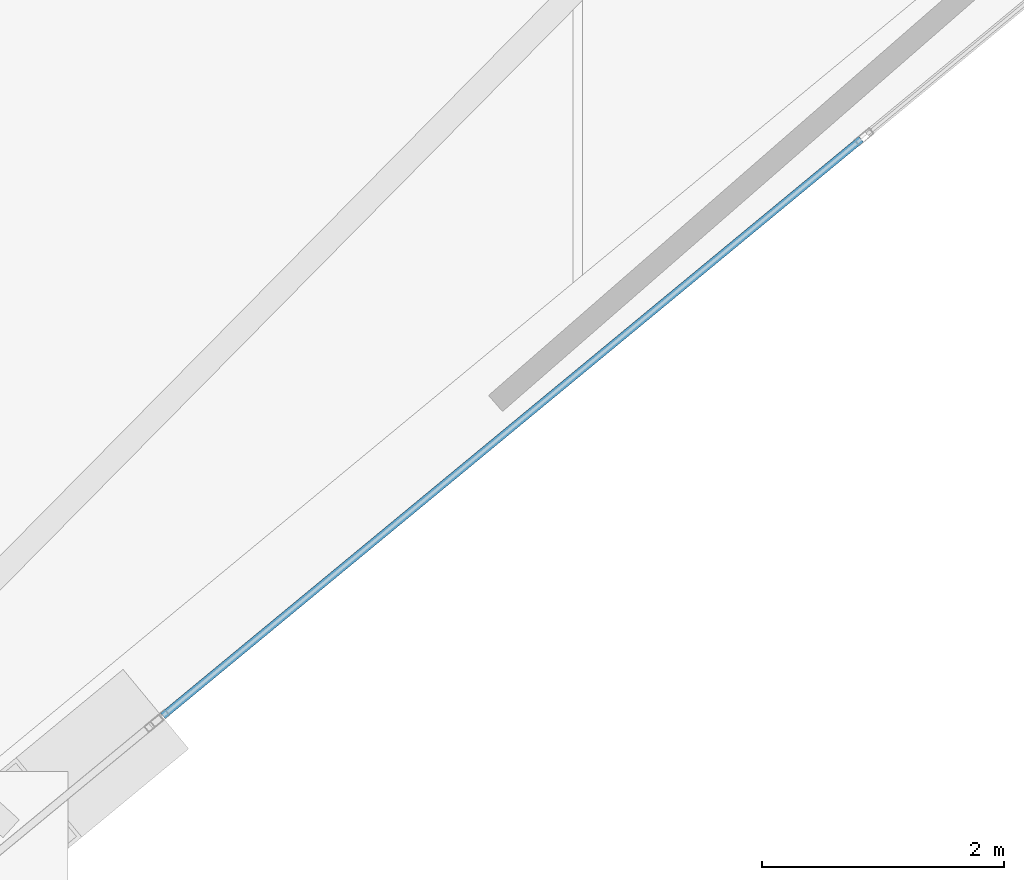
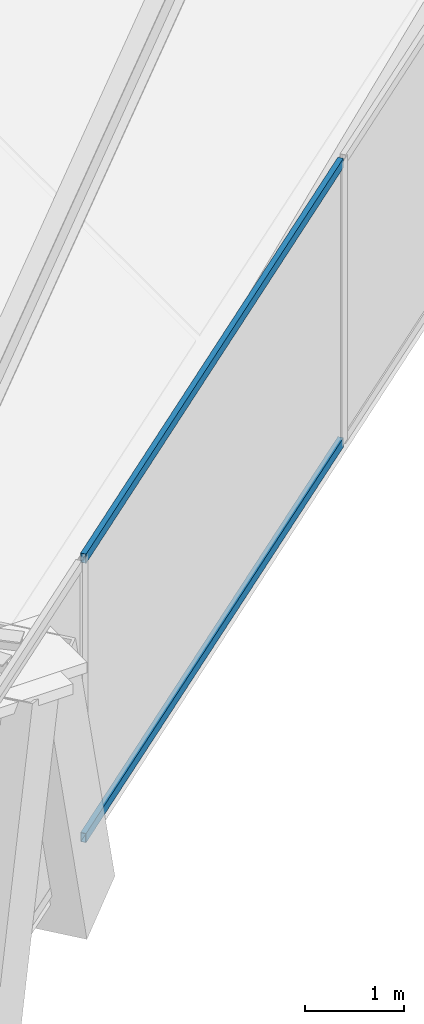
# One storey, part 6 of 21: 2 members, 1 element without a shape of its own.
"""IFC4 building model written with IfcOpenShell, lengths in metres."""

from ifc_helpers import new_model, si_unit, direction, frame, origin, origin_2d, place, context, subcontext, project, spatial, hollow_rectangle, extrude, material, layer, layer_set, material_profile, profile_set, type_object, element, aggregate, save


model = new_model("IFC4")

# Units and contexts
model_context = context("Model", 3, precision=1e-05, world=origin(), true_north=direction((0.0, 1.0)))
body_context = subcontext(model_context, "Body", "Model", "MODEL_VIEW")
ifc_project = project(units=[si_unit("LENGTHUNIT", "METRE"), si_unit("AREAUNIT", "SQUARE_METRE"), si_unit("VOLUMEUNIT", "CUBIC_METRE"), si_unit("PLANEANGLEUNIT", "RADIAN"), si_unit("MASSUNIT", "GRAM", prefix="KILO")], contexts=[model_context])

# Site, building, storey
site_placement = place(None, origin())
site = spatial("IfcSite", under=ifc_project, at=site_placement, CompositionType="ELEMENT")
building_placement = place(site_placement, origin())
building = spatial("IfcBuilding", under=site, at=building_placement, Name="Qianvela Tower", CompositionType="ELEMENT")
storey_placement = place(building_placement, frame((0.0, 0.0, 211.39990234375)))
storey = spatial("IfcBuildingStorey", under=building, at=storey_placement, Name="L54", CompositionType="ELEMENT", Elevation=211.39990234375)

# Curtain wall, members
ifc_material_1 = material(Name="Anodised Architectural Aluminium and Low-E Glass", Category="aluminium")
ifc_layer = layer(ifc_material_1, 0.159912109375)
ifc_layer_set = layer_set([ifc_layer], Name="Anodised Architectural Aluminium and Low-E Glass")
curtain_wall_type = type_object("IfcCurtainWallType", Name="CW-COLIV-Z56", PredefinedType="USERDEFINED", material=ifc_layer_set)
curtain_wall_placement = place(storey_placement, origin())
curtain_wall = element("IfcCurtainWall", 1, at=curtain_wall_placement, inside=storey, type_object=curtain_wall_type, Name="L54 CW-COLIV-Z56 Curtain Wall 06C", ObjectType="CURTAIN_WALL_SYSTEM", PredefinedType="USERDEFINED")
ifc_material_2 = material(Name="Anodised Architectural Aluminium 6063-T6", Category="aluminium")
ifc_material_profile = material_profile(ifc_material_2, hollow_rectangle(XDim=0.06005859375, YDim=0.114990234375, WallThickness=0.00390625, at=origin_2d()), Name="ALU-TRAN-60x115")
ifc_profile_set = profile_set([ifc_material_profile], Name="Anodised Architectural Aluminium 6063-T6")
member_type = type_object("IfcMemberType", Name="CW-COLIV-Z56-TRAN", PredefinedType="USERDEFINED", material=ifc_profile_set)
member_1_placement = place(storey_placement, frame((47.065673828125, 18.772216796875, 0.030029296875), z_axis=(0.771044037184, 0.636781825057, 0.0), x_axis=(-0.636781825057, 0.771044037184, 0.0)))
member_1 = element("IfcMember", 2, at=member_1_placement, type_object=member_type, Name="CW-5 transom 1.1", ObjectType="TRANSOM", PredefinedType="USERDEFINED", context=body_context, shape_type="SweptSolid", body=[
    extrude(hollow_rectangle(XDim=0.06005859375, YDim=0.114990234375, WallThickness=0.00390625, at=origin_2d()), origin(), (0.0, 0.0, 1.0), 7.4736328125),
])
member_2_placement = place(storey_placement, frame((47.065673828125, 18.772216796875, 3.489990234375), z_axis=(0.771044037184, 0.636781825057, 0.0), x_axis=(-0.636781825057, 0.771044037184, 0.0)))
member_2 = element("IfcMember", 3, at=member_2_placement, type_object=member_type, Name="CW-5 transom 1.2", ObjectType="TRANSOM", PredefinedType="USERDEFINED", context=body_context, shape_type="SweptSolid", body=[
    extrude(hollow_rectangle(XDim=0.06005859375, YDim=0.114990234375, WallThickness=0.00390625, at=origin_2d()), origin(), (0.0, 0.0, 1.0), 7.4736328125),
])
aggregate(curtain_wall, [member_1, member_2])

save(model, "model.ifc")
